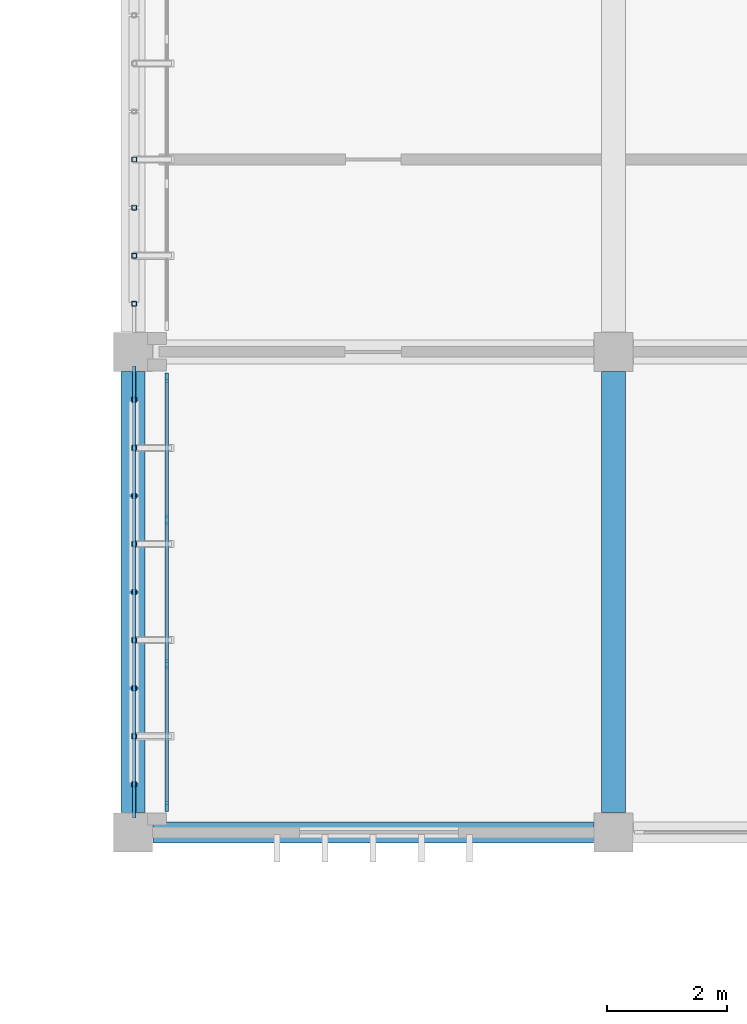
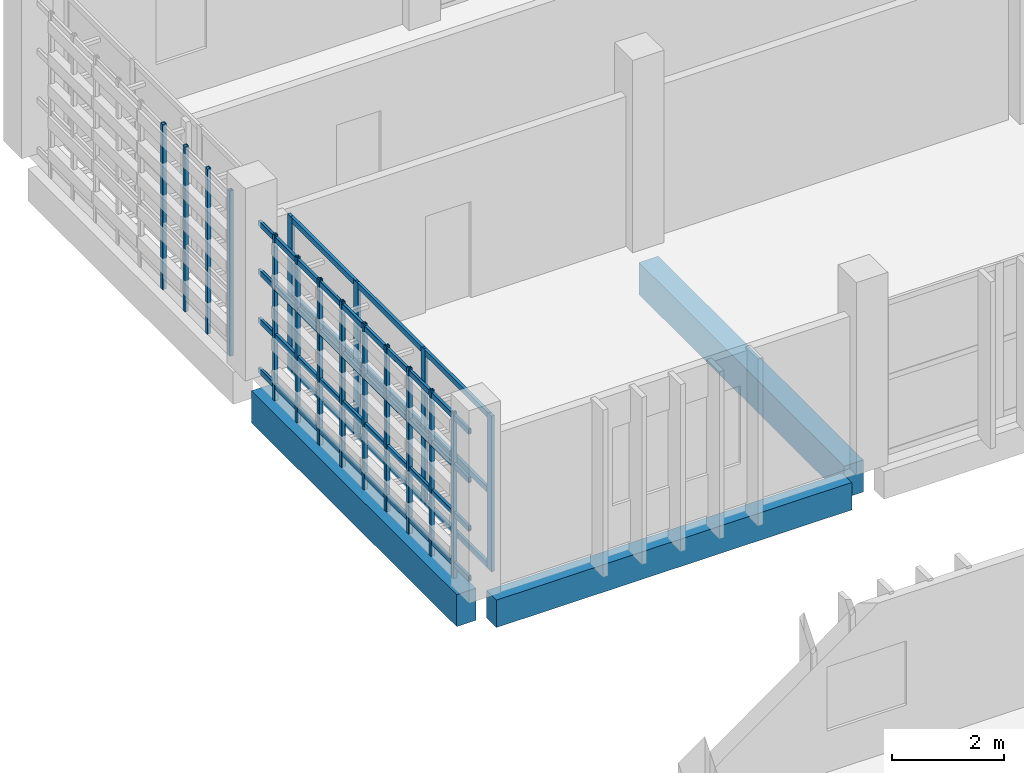
# One storey, part 32 of 83: 30 members, 3 beams, 1 element without a shape of its own.
"""IFC4 building model written with IfcOpenShell, lengths in metres."""

import ifcopenshell
import ifcopenshell.guid

model = None  # the IFC model being written
_history = None  # IfcOwnerHistory: only IFC2X3 demands one
_inside = {}  # id of a spatial element -> (the spatial element, [elements in it])
_under = {}  # id of a project, library or spatial element -> (it, [spatial elements below it])
_declared = {}  # id of a project -> (the project, [libraries it declares])
_typed = {}  # id of a type object -> (the type object, [elements of that type])
_made_of = {}  # id of a material, layer set ... -> (it, [elements and type objects made of it])


def new_model(schema):
    """Start an empty IFC model of exactly this schema.

    Asked for "IFC4X3", IfcOpenShell would pick the latest addendum, in which some entities
    have other attributes; the version numbers below select the first issue.
    IFC2X3 requires an IfcOwnerHistory on every rooted entity: one is made here for all.
    """
    global model, _history
    if schema == "IFC4X3":
        model = ifcopenshell.file(schema_version=(4, 3, 0, 0))
    else:
        model = ifcopenshell.file(schema=schema)
    _inside.clear()
    _under.clear()
    _declared.clear()
    _typed.clear()
    _made_of.clear()
    _history = None
    if model.schema == "IFC2X3":
        org = make("IfcOrganization", Name="unknown")
        user = make(
            "IfcPersonAndOrganization",
            ThePerson=make("IfcPerson", FamilyName="unknown"),
            TheOrganization=org,
        )
        app = make(
            "IfcApplication",
            ApplicationDeveloper=org,
            Version="unknown",
            ApplicationFullName="unknown",
            ApplicationIdentifier="unknown",
        )
        _history = make(
            "IfcOwnerHistory",
            OwningUser=user,
            OwningApplication=app,
            ChangeAction="ADDED",
            CreationDate=0,
        )
    return model


def make(cls, **values):
    """One entity of the class cls with the attributes given. An attribute that is None is left unset."""
    return model.create_entity(
        cls, **{name: value for name, value in values.items() if value is not None}
    )


def rooted(cls, **values):
    """An entity with a GlobalId (a new one), such as an element, a storey or a relation."""
    return make(cls, GlobalId=ifcopenshell.guid.new(), OwnerHistory=_history, **values)


def si_unit(unit_type, name, prefix=None):
    """IfcSIUnit, for example si_unit("LENGTHUNIT", "METRE", prefix="MILLI")."""
    return make("IfcSIUnit", UnitType=unit_type, Prefix=prefix, Name=name)


def assignment(units):
    """IfcUnitAssignment: the units of a project."""
    return None if units is None else make("IfcUnitAssignment", Units=units)


def point(xyz):
    """IfcCartesianPoint."""
    return None if xyz is None else make("IfcCartesianPoint", Coordinates=xyz)


def direction(xyz):
    """IfcDirection."""
    return None if xyz is None else make("IfcDirection", DirectionRatios=xyz)


def frame(location, z_axis=None, x_axis=None):
    """IfcAxis2Placement3D, a coordinate frame: its origin and axes. An axis left out is left unset."""
    return make(
        "IfcAxis2Placement3D",
        Location=point(location),
        Axis=direction(z_axis),
        RefDirection=direction(x_axis),
    )


def frame_2d(location, x_axis=None):
    """IfcAxis2Placement2D, a coordinate frame in the plane: its origin and x axis."""
    return make(
        "IfcAxis2Placement2D", Location=point(location), RefDirection=direction(x_axis)
    )


def origin():
    """The frame at (0, 0, 0) with its axes left unset."""
    return frame((0.0, 0.0, 0.0))


def origin_2d():
    """The frame at (0, 0) in the plane with its x axis left unset."""
    return frame_2d((0.0, 0.0))


def place(relative_to, where):
    """IfcLocalPlacement: puts the frame where relative to a parent placement (None: the world)."""
    return make(
        "IfcLocalPlacement", PlacementRelTo=relative_to, RelativePlacement=where
    )


def context(
    kind, dimensions, precision=None, world=None, true_north=None, identifier=None
):
    """IfcGeometricRepresentationContext, for example the 3D "Model" context."""
    return make(
        "IfcGeometricRepresentationContext",
        ContextIdentifier=identifier,
        ContextType=kind,
        CoordinateSpaceDimension=dimensions,
        Precision=precision,
        WorldCoordinateSystem=world,
        TrueNorth=true_north,
    )


def subcontext(parent, identifier, kind, view, scale=None):
    """IfcGeometricRepresentationSubContext, for example "Body" below "Model"."""
    return make(
        "IfcGeometricRepresentationSubContext",
        ContextIdentifier=identifier,
        ContextType=kind,
        ParentContext=parent,
        TargetScale=scale,
        TargetView=view,
    )


def project(units=None, contexts=None):
    """IfcProject with its units and contexts."""
    return rooted(
        "IfcProject",
        Name="project",
        RepresentationContexts=contexts,
        UnitsInContext=assignment(units),
    )


def spatial(cls, under=None, at=None, **own):
    """A site, building, storey or space (cls), placed at a placement, below another one or the project."""
    s = rooted(cls, ObjectPlacement=at, **own)
    if under is not None:
        _under.setdefault(under.id(), (under, []))[1].append(s)
    return s


def profile(cls, at=None, kind="AREA", **sizes):
    """A parametric profile (cls). Its sizes go by their IFC names, for example OverallWidth=200.0."""
    return make(cls, ProfileType=kind, Position=at, **sizes)


def rectangle(**sizes):
    """IfcRectangleProfileDef."""
    return profile("IfcRectangleProfileDef", **sizes)


def hollow_rectangle(**sizes):
    """IfcRectangleHollowProfileDef."""
    return profile("IfcRectangleHollowProfileDef", **sizes)


def extrude(swept, where, along, depth):
    """IfcExtrudedAreaSolid: the profile swept, set in the frame where, extruded along a direction by depth."""
    return make(
        "IfcExtrudedAreaSolid",
        SweptArea=swept,
        Position=where,
        ExtrudedDirection=direction(along),
        Depth=depth,
    )


def shape(context_of_items, identifier, shape_type, items):
    """IfcShapeRepresentation: the items that make up one representation, for example the "Body"."""
    return make(
        "IfcShapeRepresentation",
        ContextOfItems=context_of_items,
        RepresentationIdentifier=identifier,
        RepresentationType=shape_type,
        Items=items,
    )


def material(Name=None, Category=None):
    """IfcMaterial."""
    return make("IfcMaterial", Name=Name, Category=Category)


def layer(
    of_material, thickness, ventilated=None, Name=None, Category=None, Priority=None
):
    """IfcMaterialLayer: one layer of a wall or slab, of a material (None: an air gap)."""
    return make(
        "IfcMaterialLayer",
        Material=of_material,
        LayerThickness=thickness,
        IsVentilated=ventilated,
        Name=Name,
        Category=Category,
        Priority=Priority,
    )


def layer_set(layers, Name=None):
    """IfcMaterialLayerSet."""
    return make("IfcMaterialLayerSet", MaterialLayers=layers, LayerSetName=Name)


def material_profile(
    of_material, cross_section, Name=None, Category=None, Priority=None
):
    """IfcMaterialProfile: a cross section and its material."""
    return make(
        "IfcMaterialProfile",
        Name=Name,
        Material=of_material,
        Profile=cross_section,
        Priority=Priority,
        Category=Category,
    )


def profile_set(profiles, Name=None, composite=None):
    """IfcMaterialProfileSet."""
    return make(
        "IfcMaterialProfileSet",
        Name=Name,
        MaterialProfiles=profiles,
        CompositeProfile=composite,
    )


def made_of(thing, what):
    """Note that an element or type object is made of a material, layer set ...; save() writes the relation."""
    if what is not None:
        _made_of.setdefault(what.id(), (what, []))[1].append(thing)
    return thing


def type_object(cls, material=None, **own):
    """A type object (cls), such as IfcWallType, which elements share."""
    return made_of(rooted(cls, **own), material)


def element(
    cls,
    number,
    at=None,
    inside=None,
    cuts=None,
    type_object=None,
    material=None,
    context=None,
    identifier="Body",
    shape_type=None,
    held_by="IfcProductDefinitionShape",
    body=None,
    shapes=None,
    **own,
):
    """One element of the class cls, such as IfcWall. Its Tag is "e" and its number.

    at: its placement. inside: the storey or other place that contains it. cuts: it is an
    opening in that element (IfcRelVoidsElement). A single representation is given by context,
    identifier, shape_type and body (its items); several are given by shapes. held_by: the class
    of the entity that holds the representations. save() writes the other relations.
    """
    e = rooted(cls, Tag="e%d" % number, ObjectPlacement=at, **own)
    if body is not None:
        shapes = [shape(context, identifier, shape_type, body)]
    if shapes is not None:
        e.Representation = make(held_by, Representations=shapes)
    if inside is not None:
        _inside.setdefault(inside.id(), (inside, []))[1].append(e)
    if cuts is not None:
        rooted(
            "IfcRelVoidsElement", RelatingBuildingElement=cuts, RelatedOpeningElement=e
        )
    if type_object is not None:
        _typed.setdefault(type_object.id(), (type_object, []))[1].append(e)
    return made_of(e, material)


def aggregate(whole, parts):
    """IfcRelAggregates: a whole, such as a stair, and the parts it consists of."""
    return rooted("IfcRelAggregates", RelatingObject=whole, RelatedObjects=parts)


def save(model, path):
    """Write the relations noted so far, then the file.

    IfcRelAggregates (storeys below a building ...), IfcRelContainedInSpatialStructure (elements
    in a storey), IfcRelDefinesByType, IfcRelAssociatesMaterial and IfcRelDeclares: one each for
    every whole, place, type object, material and project.
    """
    for whole, parts in _under.values():
        aggregate(whole, parts)
    for where, things in _inside.values():
        rooted(
            "IfcRelContainedInSpatialStructure",
            RelatedElements=things,
            RelatingStructure=where,
        )
    for kind, things in _typed.values():
        rooted("IfcRelDefinesByType", RelatedObjects=things, RelatingType=kind)
    for what, things in _made_of.values():
        rooted("IfcRelAssociatesMaterial", RelatedObjects=things, RelatingMaterial=what)
    for by, libraries in _declared.values():
        rooted("IfcRelDeclares", RelatingContext=by, RelatedDefinitions=libraries)
    model.write(path)


model = new_model("IFC4")

# Units and contexts
model_context = context("Model", 3, precision=1e-05, world=origin(), true_north=direction((0.0, 1.0)))
body_context = subcontext(model_context, "Body", "Model", "MODEL_VIEW")
ifc_project = project(units=[si_unit("LENGTHUNIT", "METRE"), si_unit("AREAUNIT", "SQUARE_METRE"), si_unit("VOLUMEUNIT", "CUBIC_METRE"), si_unit("PLANEANGLEUNIT", "RADIAN"), si_unit("MASSUNIT", "GRAM", prefix="KILO")], contexts=[model_context])

# Site, building, storey
site_placement = place(None, origin())
site = spatial("IfcSite", under=ifc_project, at=site_placement, CompositionType="ELEMENT")
building_placement = place(site_placement, origin())
building = spatial("IfcBuilding", under=site, at=building_placement, Name="Jelvoka-Kovrelna Polytechnic", CompositionType="ELEMENT")
storey_placement = place(building_placement, frame((0.0, 0.0, 13.800048828125)))
storey = spatial("IfcBuildingStorey", under=building, at=storey_placement, Name="L04", CompositionType="ELEMENT", Elevation=13.800048828125)

# Beams
ifc_material_1 = material(Name="Concrete C40/50", Category="concrete")
ifc_material_profile_1 = material_profile(ifc_material_1, rectangle(XDim=0.39990234375, YDim=0.699951171875, at=origin_2d()), Name="RC 400x700")
ifc_profile_set_1 = profile_set([ifc_material_profile_1], Name="Concrete C40/50")
beam_type_1 = type_object("IfcBeamType", Name="Beam_RC_400x700", PredefinedType="BEAM", material=ifc_profile_set_1)
for number, where, z_axis, x_axis, name in (
    (1, (128.0, 32.330078125, -0.60009765625), (0.0, 1.0, 0.0), (-1.0, 0.0, 0.0), "L04 beam 1238"),
    (2, (136.0, 32.330078125, -0.60009765625), (0.0, 1.0, 0.0), (-1.0, 0.0, 0.0), "L04 beam 1240"),
):
    element("IfcBeam", number, at=place(storey_placement, frame(where, z_axis=z_axis, x_axis=x_axis)), inside=storey, type_object=beam_type_1, Name=name, PredefinedType="BEAM", context=body_context, shape_type="SweptSolid", body=[
        extrude(rectangle(XDim=0.39990234375, YDim=0.699951171875, at=origin_2d()), origin(), (0.0, 0.0, 1.0), 7.33984375),
    ])

# Members
ifc_material_2 = material(Name="Structural steel S355J2H", Category="steel")
ifc_material_profile_2 = material_profile(ifc_material_2, hollow_rectangle(XDim=0.06005859375, YDim=0.1201171875, WallThickness=0.0048828125, InnerFilletRadius=0.0048828125, OuterFilletRadius=0.007568359375, at=origin_2d()), Name="120x60x5.0 RHS")
ifc_profile_set_2 = profile_set([ifc_material_profile_2], Name="Structural steel S355J2H")
member_type_1 = type_object("IfcMemberType", Name="Member_Strut_RHS120", PredefinedType="STRUT", material=ifc_profile_set_2)
for number, where, z_axis, x_axis, name in (
    (3, (128.02001953125, 32.239990234375, 0.079833984375), (0.0, 1.0, 0.0), (-1.0, 0.0, 0.0), "L04 terracotta screen horizontal strut 0430"),
    (4, (128.02001953125, 32.239990234375, 1.17138671875), (0.0, 1.0, 0.0), (-1.0, 0.0, 0.0), "L04 terracotta screen horizontal strut 0431"),
    (5, (128.02001953125, 32.239990234375, 2.230712890625), (0.0, 1.0, 0.0), (-1.0, 0.0, 0.0), "L04 terracotta screen horizontal strut 0432"),
    (6, (128.02001953125, 32.239990234375, 3.2900390625), (0.0, 1.0, 0.0), (-1.0, 0.0, 0.0), "L04 terracotta screen horizontal strut 0433"),
):
    element("IfcMember", number, at=place(storey_placement, frame(where, z_axis=z_axis, x_axis=x_axis)), inside=storey, type_object=member_type_1, Name=name, PredefinedType="STRUT", context=body_context, shape_type="SweptSolid", body=[
        extrude(hollow_rectangle(XDim=0.06005859375, YDim=0.1201171875, WallThickness=0.0048828125, InnerFilletRadius=0.0048828125, OuterFilletRadius=0.007568359375, at=origin_2d()), origin(), (0.0, 0.0, 1.0), 7.52001953125),
    ])
ifc_material_3 = material(Name="Structural steel S355J2H", Category="steel")
ifc_material_profile_3 = material_profile(ifc_material_3, hollow_rectangle(XDim=0.080078125, YDim=0.080078125, WallThickness=0.0048828125, InnerFilletRadius=0.0048828125, OuterFilletRadius=0.007568359375, at=origin_2d()), Name="80x80x5.0 SHS")
ifc_profile_set_3 = profile_set([ifc_material_profile_3], Name="Structural steel S355J2H")
member_type_2 = type_object("IfcMemberType", Name="Member_Strut_SHS80", PredefinedType="STRUT", material=ifc_profile_set_3)
for number, where, z_axis, x_axis, name in (
    (7, (128.02001953125, 32.800048828125, -0.22998046875), (0.0, 0.0, 1.0), (1.0, 0.0, 0.0), "L04 terracotta lattice vertical rib 0434"),
    (8, (128.02001953125, 33.60009765625, -0.22998046875), (0.0, 0.0, 1.0), (1.0, 0.0, 0.0), "L04 terracotta lattice vertical rib 0435"),
    (9, (128.02001953125, 34.39990234375, -0.22998046875), (0.0, 0.0, 1.0), (1.0, 0.0, 0.0), "L04 terracotta lattice vertical rib 0436"),
    (10, (128.02001953125, 35.199951171875, -0.22998046875), (0.0, 0.0, 1.0), (1.0, 0.0, 0.0), "L04 terracotta lattice vertical rib 0437"),
    (11, (128.02001953125, 36.0, -0.22998046875), (0.0, 0.0, 1.0), (1.0, 0.0, 0.0), "L04 terracotta lattice vertical rib 0438"),
    (12, (128.02001953125, 36.800048828125, -0.22998046875), (0.0, 0.0, 1.0), (1.0, 0.0, 0.0), "L04 terracotta lattice vertical rib 0439"),
    (13, (128.02001953125, 37.60009765625, -0.22998046875), (0.0, 0.0, 1.0), (1.0, 0.0, 0.0), "L04 terracotta lattice vertical rib 0440"),
    (14, (128.02001953125, 38.39990234375, -0.22998046875), (0.0, 0.0, 1.0), (1.0, 0.0, 0.0), "L04 terracotta lattice vertical rib 0441"),
    (15, (128.02001953125, 39.199951171875, -0.22998046875), (0.0, 0.0, 1.0), (1.0, 0.0, 0.0), "L04 terracotta lattice vertical rib 0442"),
    (16, (128.02001953125, 40.800048828125, -0.22998046875), (0.0, 0.0, 1.0), (1.0, 0.0, 0.0), "L04 terracotta lattice vertical rib 0447"),
    (17, (128.02001953125, 41.60009765625, -0.22998046875), (0.0, 0.0, 1.0), (1.0, 0.0, 0.0), "L04 terracotta lattice vertical rib 0448"),
    (18, (128.02001953125, 42.39990234375, -0.22998046875), (0.0, 0.0, 1.0), (1.0, 0.0, 0.0), "L04 terracotta lattice vertical rib 0449"),
    (19, (128.02001953125, 43.199951171875, -0.22998046875), (0.0, 0.0, 1.0), (1.0, 0.0, 0.0), "L04 terracotta lattice vertical rib 0450"),
):
    element("IfcMember", number, at=place(storey_placement, frame(where, z_axis=z_axis, x_axis=x_axis)), inside=storey, type_object=member_type_2, Name=name, PredefinedType="STRUT", context=body_context, shape_type="SweptSolid", body=[
        extrude(hollow_rectangle(XDim=0.080078125, YDim=0.080078125, WallThickness=0.0048828125, InnerFilletRadius=0.0048828125, OuterFilletRadius=0.007568359375, at=origin_2d()), origin(), (0.0, 0.0, 1.0), 3.60986328125),
    ])

# Curtain wall, members
ifc_material_4 = material(Name="Anodised aluminium 6063-T6", Category="aluminium")
ifc_layer = layer(ifc_material_4, 0.159912109375)
ifc_layer_set = layer_set([ifc_layer], Name="Anodised aluminium 6063-T6")
curtain_wall_type = type_object("IfcCurtainWallType", Name="CW_Recessed_A", PredefinedType="NOTDEFINED", material=ifc_layer_set)
curtain_wall_placement = place(storey_placement, origin())
curtain_wall = element("IfcCurtainWall", 20, at=curtain_wall_placement, inside=storey, type_object=curtain_wall_type, Name="L04 glazed curtain wall 066", PredefinedType="NOTDEFINED")
ifc_material_5 = material(Name="Anodised aluminium 6063-T6", Category="aluminium")
ifc_material_profile_4 = material_profile(ifc_material_5, rectangle(XDim=0.06005859375, YDim=0.159912109375, at=origin_2d()), Name="ALU 60x160")
ifc_profile_set_4 = profile_set([ifc_material_profile_4], Name="Anodised aluminium 6063-T6")
member_type_3 = type_object("IfcMemberType", Name="Mullion_M-01", PredefinedType="MULLION", material=ifc_profile_set_4)
member_1_placement = place(storey_placement, frame((128.56005859375, 32.429931640625, -0.02490234375), z_axis=(0.0, 0.0, 1.0), x_axis=(-1.0, 0.0, 0.0)))
member_1 = element("IfcMember", 21, at=member_1_placement, type_object=member_type_3, Name="CW-01 mullion 1", PredefinedType="MULLION", context=body_context, shape_type="SweptSolid", body=[
    extrude(rectangle(XDim=0.06005859375, YDim=0.159912109375, at=origin_2d()), origin(), (0.0, 0.0, 1.0), 3.39990234375),
])
member_2_placement = place(storey_placement, frame((128.56005859375, 34.800048828125, -0.02490234375), z_axis=(0.0, 0.0, 1.0), x_axis=(-1.0, 0.0, 0.0)))
member_2 = element("IfcMember", 22, at=member_2_placement, type_object=member_type_3, Name="CW-01 mullion 2", PredefinedType="MULLION", context=body_context, shape_type="SweptSolid", body=[
    extrude(rectangle(XDim=0.06005859375, YDim=0.159912109375, at=origin_2d()), origin(), (0.0, 0.0, 1.0), 3.39990234375),
])
member_3_placement = place(storey_placement, frame((128.56005859375, 37.199951171875, -0.02490234375), z_axis=(0.0, 0.0, 1.0), x_axis=(-1.0, 0.0, 0.0)))
member_3 = element("IfcMember", 23, at=member_3_placement, type_object=member_type_3, Name="CW-01 mullion 3", PredefinedType="MULLION", context=body_context, shape_type="SweptSolid", body=[
    extrude(rectangle(XDim=0.06005859375, YDim=0.159912109375, at=origin_2d()), origin(), (0.0, 0.0, 1.0), 3.39990234375),
])
member_4_placement = place(storey_placement, frame((128.56005859375, 39.570068359375, -0.02490234375), z_axis=(0.0, 0.0, 1.0), x_axis=(-1.0, 0.0, 0.0)))
member_4 = element("IfcMember", 24, at=member_4_placement, type_object=member_type_3, Name="CW-01 mullion 4", PredefinedType="MULLION", context=body_context, shape_type="SweptSolid", body=[
    extrude(rectangle(XDim=0.06005859375, YDim=0.159912109375, at=origin_2d()), origin(), (0.0, 0.0, 1.0), 3.39990234375),
])

# Beam
ifc_material_6 = material(Name="Concrete C40/50", Category="concrete")
ifc_material_profile_5 = material_profile(ifc_material_6, rectangle(XDim=0.35009765625, YDim=0.60009765625, at=origin_2d()), Name="RC 350x600")
ifc_profile_set_5 = profile_set([ifc_material_profile_5], Name="Concrete C40/50")
beam_type_2 = type_object("IfcBeamType", Name="Spandrel_RC_350x600", PredefinedType="SPANDREL", material=ifc_profile_set_5)
beam_placement = place(storey_placement, frame((128.330078125, 32.0, -0.550048828125), z_axis=(1.0, 0.0, 0.0), x_axis=(0.0, 1.0, 0.0)))
element("IfcBeam", 25, at=beam_placement, inside=storey, type_object=beam_type_2, Name="L04 beam 1212", PredefinedType="SPANDREL", context=body_context, shape_type="SweptSolid", body=[
    extrude(rectangle(XDim=0.35009765625, YDim=0.60009765625, at=origin_2d()), origin(), (0.0, 0.0, 1.0), 7.33984375),
])

# Member
ifc_material_7 = material(Name="Anodised aluminium 6063-T6", Category="aluminium")
ifc_material_profile_6 = material_profile(ifc_material_7, rectangle(XDim=0.06005859375, YDim=0.1201171875, at=origin_2d()), Name="ALU 60x120")
ifc_profile_set_6 = profile_set([ifc_material_profile_6], Name="Anodised aluminium 6063-T6")
member_type_4 = type_object("IfcMemberType", Name="Transom_T-01", PredefinedType="USERDEFINED", material=ifc_profile_set_6)
member_5_placement = place(storey_placement, frame((128.56005859375, 32.4599609375, 0.030029296875), z_axis=(0.0, 1.0, 0.0), x_axis=(-1.0, 0.0, 0.0)))
member_5 = element("IfcMember", 26, at=member_5_placement, type_object=member_type_4, Name="CW-01 transom 1.1", ObjectType="TRANSOM", PredefinedType="USERDEFINED", context=body_context, shape_type="SweptSolid", body=[
    extrude(rectangle(XDim=0.06005859375, YDim=0.1201171875, at=origin_2d()), origin(), (0.0, 0.0, 1.0), 2.31005859375),
])

member_6_placement = place(storey_placement, frame((128.56005859375, 32.4599609375, 1.675048828125), z_axis=(0.0, 1.0, 0.0), x_axis=(-1.0, 0.0, 0.0)))
member_6 = element("IfcMember", 27, at=member_6_placement, type_object=member_type_4, Name="CW-01 transom 1.2", ObjectType="TRANSOM", PredefinedType="USERDEFINED", context=body_context, shape_type="SweptSolid", body=[
    extrude(rectangle(XDim=0.06005859375, YDim=0.1201171875, at=origin_2d()), origin(), (0.0, 0.0, 1.0), 2.31005859375),
])

member_7_placement = place(storey_placement, frame((128.56005859375, 32.4599609375, 3.320068359375), z_axis=(0.0, 1.0, 0.0), x_axis=(-1.0, 0.0, 0.0)))
member_7 = element("IfcMember", 28, at=member_7_placement, type_object=member_type_4, Name="CW-01 transom 1.3", ObjectType="TRANSOM", PredefinedType="USERDEFINED", context=body_context, shape_type="SweptSolid", body=[
    extrude(rectangle(XDim=0.06005859375, YDim=0.1201171875, at=origin_2d()), origin(), (0.0, 0.0, 1.0), 2.31005859375),
])

member_8_placement = place(storey_placement, frame((128.56005859375, 34.830078125, 0.030029296875), z_axis=(0.0, 1.0, 0.0), x_axis=(-1.0, 0.0, 0.0)))
member_8 = element("IfcMember", 29, at=member_8_placement, type_object=member_type_4, Name="CW-01 transom 2.1", ObjectType="TRANSOM", PredefinedType="USERDEFINED", context=body_context, shape_type="SweptSolid", body=[
    extrude(rectangle(XDim=0.06005859375, YDim=0.1201171875, at=origin_2d()), origin(), (0.0, 0.0, 1.0), 2.33984375),
])

member_9_placement = place(storey_placement, frame((128.56005859375, 34.830078125, 1.675048828125), z_axis=(0.0, 1.0, 0.0), x_axis=(-1.0, 0.0, 0.0)))
member_9 = element("IfcMember", 30, at=member_9_placement, type_object=member_type_4, Name="CW-01 transom 2.2", ObjectType="TRANSOM", PredefinedType="USERDEFINED", context=body_context, shape_type="SweptSolid", body=[
    extrude(rectangle(XDim=0.06005859375, YDim=0.1201171875, at=origin_2d()), origin(), (0.0, 0.0, 1.0), 2.33984375),
])

member_10_placement = place(storey_placement, frame((128.56005859375, 34.830078125, 3.320068359375), z_axis=(0.0, 1.0, 0.0), x_axis=(-1.0, 0.0, 0.0)))
member_10 = element("IfcMember", 31, at=member_10_placement, type_object=member_type_4, Name="CW-01 transom 2.3", ObjectType="TRANSOM", PredefinedType="USERDEFINED", context=body_context, shape_type="SweptSolid", body=[
    extrude(rectangle(XDim=0.06005859375, YDim=0.1201171875, at=origin_2d()), origin(), (0.0, 0.0, 1.0), 2.33984375),
])

member_11_placement = place(storey_placement, frame((128.56005859375, 37.22998046875, 0.030029296875), z_axis=(0.0, 1.0, 0.0), x_axis=(-1.0, 0.0, 0.0)))
member_11 = element("IfcMember", 32, at=member_11_placement, type_object=member_type_4, Name="CW-01 transom 3.1", ObjectType="TRANSOM", PredefinedType="USERDEFINED", context=body_context, shape_type="SweptSolid", body=[
    extrude(rectangle(XDim=0.06005859375, YDim=0.1201171875, at=origin_2d()), origin(), (0.0, 0.0, 1.0), 2.31005859375),
])

member_12_placement = place(storey_placement, frame((128.56005859375, 37.22998046875, 1.675048828125), z_axis=(0.0, 1.0, 0.0), x_axis=(-1.0, 0.0, 0.0)))
member_12 = element("IfcMember", 33, at=member_12_placement, type_object=member_type_4, Name="CW-01 transom 3.2", ObjectType="TRANSOM", PredefinedType="USERDEFINED", context=body_context, shape_type="SweptSolid", body=[
    extrude(rectangle(XDim=0.06005859375, YDim=0.1201171875, at=origin_2d()), origin(), (0.0, 0.0, 1.0), 2.31005859375),
])

member_13_placement = place(storey_placement, frame((128.56005859375, 37.22998046875, 3.320068359375), z_axis=(0.0, 1.0, 0.0), x_axis=(-1.0, 0.0, 0.0)))
member_13 = element("IfcMember", 34, at=member_13_placement, type_object=member_type_4, Name="CW-01 transom 3.3", ObjectType="TRANSOM", PredefinedType="USERDEFINED", context=body_context, shape_type="SweptSolid", body=[
    extrude(rectangle(XDim=0.06005859375, YDim=0.1201171875, at=origin_2d()), origin(), (0.0, 0.0, 1.0), 2.31005859375),
])

aggregate(curtain_wall, [member_1, member_2, member_3, member_4, member_5, member_6, member_7, member_8, member_9, member_10, member_11, member_12, member_13])

save(model, "model.ifc")
